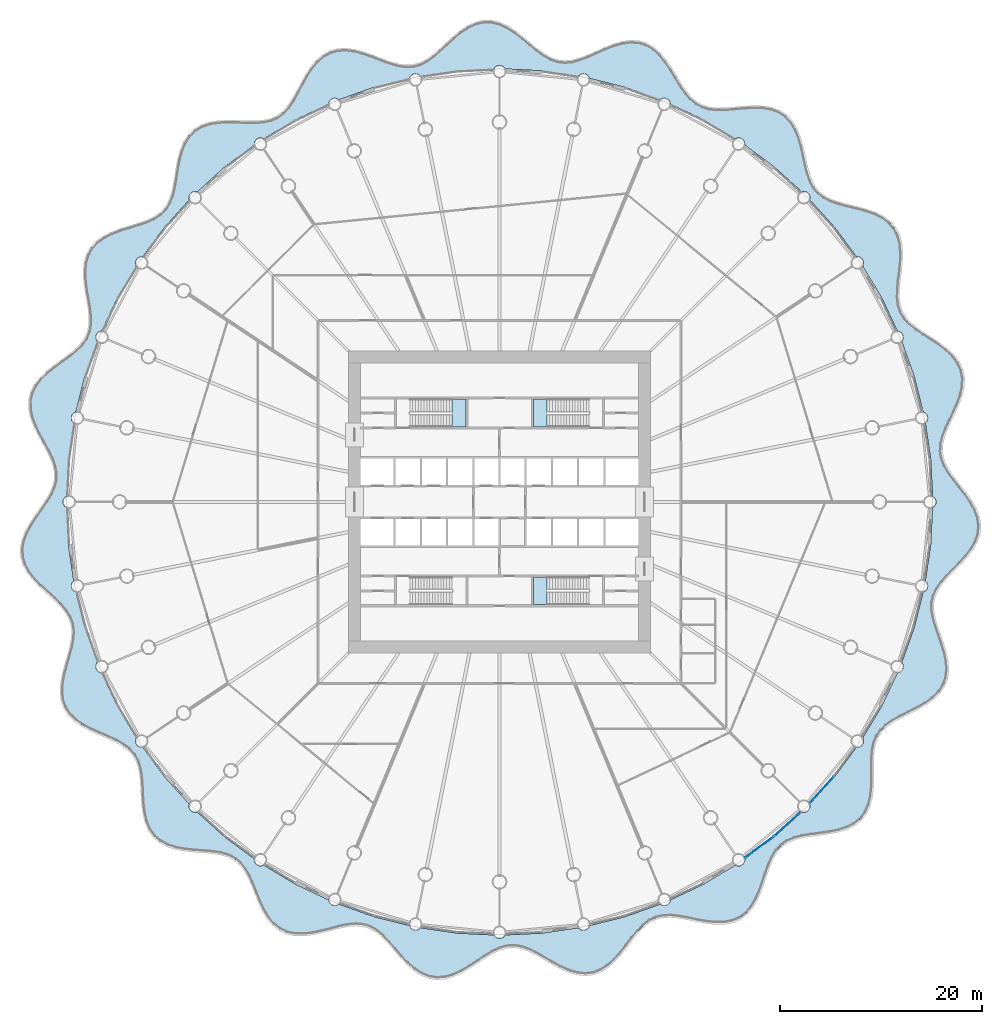
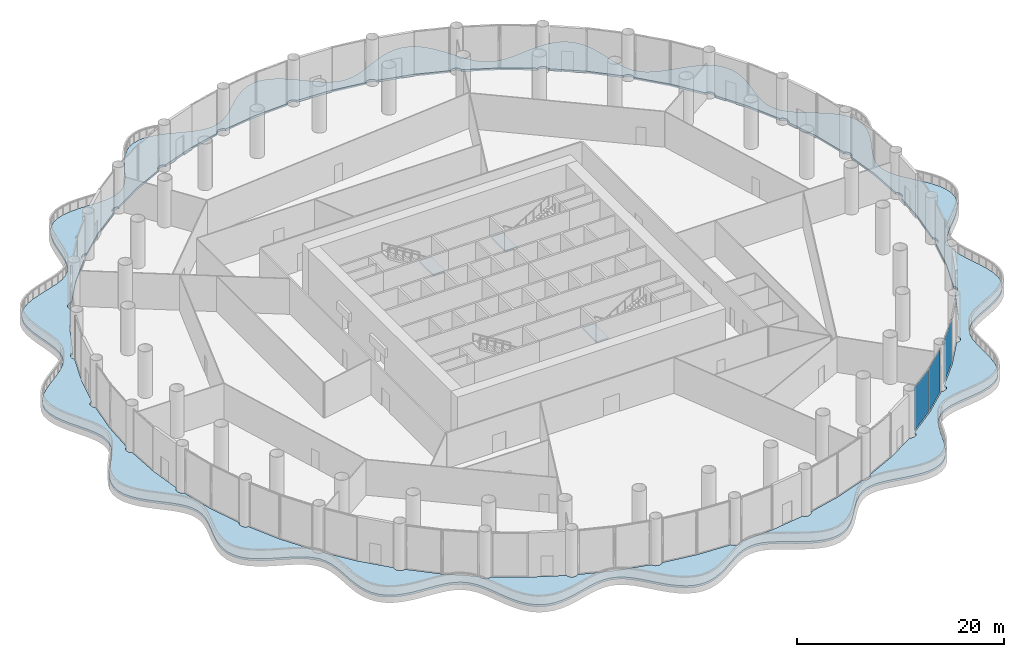
# One storey, part 21 of 37: 4 slabs, 3 plates, 6 elements without a shape of their own.
"""IFC4 building model written with IfcOpenShell, lengths in metres."""

from ifc_helpers import new_model, si_unit, direction, frame, origin, origin_2d, place, context, subcontext, project, spatial, polyline, rectangle, outline, extrude, material, layer, layer_set, type_object, element, aggregate, save


model = new_model("IFC4")

# Units and contexts
model_context = context("Model", 3, precision=1e-05, world=origin(), true_north=direction((0.0, 1.0)))
body_context = subcontext(model_context, "Body", "Model", "MODEL_VIEW")
ifc_project = project(units=[si_unit("LENGTHUNIT", "METRE"), si_unit("AREAUNIT", "SQUARE_METRE"), si_unit("VOLUMEUNIT", "CUBIC_METRE"), si_unit("PLANEANGLEUNIT", "RADIAN"), si_unit("MASSUNIT", "GRAM", prefix="KILO")], contexts=[model_context])

# Site, building, storey
site_placement = place(None, origin())
site = spatial("IfcSite", under=ifc_project, at=site_placement, CompositionType="ELEMENT")
building_placement = place(site_placement, origin())
building = spatial("IfcBuilding", under=site, at=building_placement, Name="Corvane Civic Tower", CompositionType="ELEMENT")
storey_placement = place(building_placement, frame((0.0, 0.0, 11.5)))
storey = spatial("IfcBuildingStorey", under=building, at=storey_placement, Name="L02", CompositionType="ELEMENT", Elevation=11.5)

# Curtain wall, plate
ifc_material_1 = material(Name="Aluminium and glass", Category="aluminium")
curtain_wall_type = type_object("IfcCurtainWallType", Name="PODIUM-CW-P-RUN", PredefinedType="NOTDEFINED", material=ifc_material_1)
curtain_wall_1_placement = place(storey_placement, origin())
curtain_wall_1 = element("IfcCurtainWall", 1, at=curtain_wall_1_placement, inside=storey, type_object=curtain_wall_type, Name="PODI run L02-drum-12B", PredefinedType="NOTDEFINED")
ifc_material_2 = material(Name="Glass tinted low-e laminated", Category="glass")
ifc_layer_1 = layer(ifc_material_2, 0.031982421875)
ifc_layer_set_1 = layer_set([ifc_layer_1], Name="Glass tinted low-e laminated")
plate_type = type_object("IfcPlateType", Name="PODIUM-CWP-PANEL-IGU32", PredefinedType="CURTAIN_PANEL", material=ifc_layer_set_1)
plate_1_placement = place(storey_placement, frame((31.957275390625, -28.5595703125, 0.06005859375), z_axis=(0.0, 0.0, 1.0), x_axis=(-0.671576457952, -0.740935261089, 0.0)))
plate_1 = element("IfcPlate", 2, at=plate_1_placement, type_object=plate_type, Name="CW-P panel 1.1", PredefinedType="CURTAIN_PANEL", context=body_context, shape_type="SweptSolid", body=[
    extrude(rectangle(XDim=3.4599609375, YDim=0.031982421875, at=origin_2d()), origin(), (0.0, 0.0, 1.0), 5.080078125),
])
aggregate(curtain_wall_1, [plate_1])

curtain_wall_2_placement = place(storey_placement, origin())
curtain_wall_2 = element("IfcCurtainWall", 3, at=curtain_wall_2_placement, inside=storey, type_object=curtain_wall_type, Name="PODI run L02-drum-13A", PredefinedType="NOTDEFINED")
plate_2_placement = place(storey_placement, frame((28.5595703125, -31.957275390625, 0.06005859375), z_axis=(0.0, 0.0, 1.0), x_axis=(-0.740935261089, -0.671576457952, 0.0)))
plate_2 = element("IfcPlate", 4, at=plate_2_placement, type_object=plate_type, Name="CW-P panel 1.1", PredefinedType="CURTAIN_PANEL", context=body_context, shape_type="SweptSolid", body=[
    extrude(rectangle(XDim=3.4599609375, YDim=0.031982421875, at=origin_2d()), origin(), (0.0, 0.0, 1.0), 5.080078125),
])
aggregate(curtain_wall_2, [plate_2])

curtain_wall_3_placement = place(storey_placement, origin())
curtain_wall_3 = element("IfcCurtainWall", 5, at=curtain_wall_3_placement, inside=storey, type_object=curtain_wall_type, Name="PODI run L02-drum-13B", PredefinedType="NOTDEFINED")
plate_3_placement = place(storey_placement, frame((25.771484375, -34.245361328125, 0.06005859375), z_axis=(0.0, 0.0, 1.0), x_axis=(-0.803203229747, -0.595705104665, 0.0)))
plate_3 = element("IfcPlate", 6, at=plate_3_placement, type_object=plate_type, Name="CW-P panel 1.1", PredefinedType="CURTAIN_PANEL", context=body_context, shape_type="SweptSolid", body=[
    extrude(rectangle(XDim=3.459716796875, YDim=0.031982421875, at=origin_2d()), origin(), (0.0, 0.0, 1.0), 5.080078125),
])
aggregate(curtain_wall_3, [plate_3])

# Slab
ifc_material_3 = material(Name="Concrete C40/50", Category="concrete")
ifc_layer_2 = layer(ifc_material_3, 0.25)
ifc_layer_set_2 = layer_set([ifc_layer_2], Name="Concrete C40/50")
slab_type_1 = type_object("IfcSlabType", Name="PODIUM-SL-RIBBON-250", PredefinedType="FLOOR", material=ifc_layer_set_2)
slab_1_placement = place(storey_placement, frame((0.0, 0.0, -0.25)))
element("IfcSlab", 7, at=slab_1_placement, inside=storey, type_object=slab_type_1, Name="L02 ribbon balcony slab", PredefinedType="FLOOR", context=body_context, shape_type="SweptSolid", body=[
    extrude(outline(polyline([(0.770751953125, 47.1025390625), (0.0, 47.458740234375), (-0.77978515625, 47.653076171875), (-1.560302734375, 47.665771484375), (-2.333251953125, 47.494140625), (-3.090576171875, 47.152099609375), (-3.82666015625, 46.668701171875), (-4.5390625, 46.085693359375), (-5.22900390625, 45.453125), (-5.901123046875, 44.824462890625), (-6.56396484375, 44.251220703125), (-7.22802734375, 43.77880859375), (-7.904296875, 43.440673828125), (-8.604248046875, 43.25634765625), (-9.336669921875, 43.229248046875), (-10.10693359375, 43.345947265625), (-10.915771484375, 43.578369140625), (-11.75927734375, 43.885986328125), (-12.6279296875, 44.220703125), (-13.508056640625, 44.5302734375), (-14.38330078125, 44.76513671875), (-15.235107421875, 44.88134765625), (-16.04638671875, 44.846435546875), (-16.802001953125, 44.641845703125), (-17.491943359375, 44.263916015625), (-18.111572265625, 43.725341796875), (-18.6640625, 43.052978515625), (-19.158935546875, 42.28466796875), (-19.6123046875, 41.466552734375), (-20.045166015625, 40.6474609375), (-20.48193359375, 39.875), (-20.947509765625, 39.18994140625), (-21.464111328125, 38.622802734375), (-22.050048828125, 38.191650390625), (-22.71630859375, 37.89990234375), (-23.465576171875, 37.73583984375), (-24.291748046875, 37.67529296875), (-25.17919921875, 37.683349609375), (-26.10498046875, 37.7177734375), (-27.0400390625, 37.734375), (-27.952880859375, 37.68994140625), (-28.8115234375, 37.5478515625), (-29.587890625, 37.2802734375), (-30.260009765625, 36.871826171875), (-30.81494140625, 36.31982421875), (-31.250732421875, 35.634765625), (-31.575927734375, 34.8388671875), (-31.810302734375, 33.963623046875), (-31.982177734375, 33.04638671875), (-32.126708984375, 32.126708984375), (-32.281982421875, 31.242431640625), (-32.485107421875, 30.42578125), (-32.769287109375, 29.700439453125), (-33.158935546875, 29.07958984375), (-33.668701171875, 28.565673828125), (-34.299560546875, 28.14892578125), (-35.040771484375, 27.810302734375), (-35.868408203125, 27.522705078125), (-36.7490234375, 27.2548828125), (-37.641845703125, 26.973876953125), (-38.5029296875, 26.6484375), (-39.289794921875, 26.25244140625), (-39.964599609375, 25.767822265625), (-40.49951171875, 25.184326171875), (-40.87890625, 24.501953125), (-41.1005859375, 23.7294921875), (-41.17724609375, 22.8837890625), (-41.13525390625, 21.9873046875), (-41.01171875, 21.06591796875), (-40.8515625, 20.145751953125), (-40.70263671875, 19.2509765625), (-40.612060546875, 18.401123046875), (-40.6201171875, 17.609375), (-40.75732421875, 16.88232421875), (-41.040771484375, 16.218017578125), (-41.472412109375, 15.609130859375), (-42.038330078125, 15.04150390625), (-42.710205078125, 14.498046875), (-43.4482421875, 13.960205078125), (-44.2041015625, 13.4091796875), (-44.926513671875, 12.829345703125), (-45.5654296875, 12.209228515625), (-46.07763671875, 11.541748046875), (-46.430419921875, 10.826171875), (-46.60595703125, 10.06591796875), (-46.601318359375, 9.26953125), (-46.43115234375, 8.448486328125), (-46.1240234375, 7.615234375), (-45.721923828125, 6.7822265625), (-45.2744140625, 5.96044921875), (-44.834716796875, 5.15771484375), (-44.454345703125, 4.37841796875), (-44.178466796875, 3.622314453125), (-44.0400390625, 2.886474609375), (-44.05859375, 2.16455078125), (-44.23681640625, 1.4482421875), (-44.560302734375, 0.729248046875), (-45.0, 0.0), (-45.513916015625, -0.744873046875), (-46.0517578125, -1.507568359375), (-46.559814453125, -2.287353515625), (-46.986083984375, -3.07958984375), (-47.28515625, -3.877197265625), (-47.423583984375, -4.6708984375), (-47.381591796875, -5.45068359375), (-47.156005859375, -6.208251953125), (-46.760986328125, -6.936279296875), (-46.224853515625, -7.6318359375), (-45.5888671875, -8.295166015625), (-44.902587890625, -8.931640625), (-44.218994140625, -9.55029296875), (-43.5888671875, -10.16357421875), (-43.056884765625, -10.78515625), (-42.656494140625, -11.4296875), (-42.406982421875, -12.10986328125), (-42.3115234375, -12.8349609375), (-42.357421875, -13.609619140625), (-42.51708984375, -14.4326171875), (-42.75146484375, -15.296630859375), (-43.01318359375, -16.18896484375), (-43.251708984375, -17.091796875), (-43.41845703125, -17.984619140625), (-43.470947265625, -18.845458984375), (-43.377685546875, -19.654052734375), (-43.1201171875, -20.394287109375), (-42.695068359375, -21.054931640625), (-42.11474609375, -21.632568359375), (-41.40478515625, -22.13134765625), (-40.60205078125, -22.56396484375), (-39.75048828125, -22.949951171875), (-38.8974609375, -23.314208984375), (-38.088134765625, -23.6845703125), (-37.361572265625, -24.08935546875), (-36.747314453125, -24.5537109375), (-36.26220703125, -25.097412109375), (-35.909423828125, -25.732421875), (-35.678466796875, -26.4609375), (-35.545654296875, -27.275146484375), (-35.477783203125, -28.1572265625), (-35.435546875, -29.081298828125), (-35.376953125, -30.01513671875), (-35.26123046875, -30.92333984375), (-35.054443359375, -31.771484375), (-34.730224609375, -32.528564453125), (-34.27490234375, -33.171142578125), (-33.685546875, -33.685546875), (-32.972900390625, -34.070068359375), (-32.157470703125, -34.334228515625), (-31.268798828125, -34.499755859375), (-30.341552734375, -34.597900390625), (-29.412353515625, -34.66650390625), (-28.515625, -34.746337890625), (-27.680908203125, -34.877685546875), (-26.9296875, -35.095703125), (-26.27392578125, -35.42626953125), (-25.714599609375, -35.884765625), (-25.2431640625, -36.47265625), (-24.84130859375, -37.177734375), (-24.48486328125, -37.974853515625), (-24.145263671875, -38.82861328125), (-23.792724609375, -39.69580078125), (-23.39990234375, -40.530029296875), (-22.9443359375, -41.28662109375), (-22.409912109375, -41.926025390625), (-21.788818359375, -42.41943359375), (-21.081787109375, -42.749755859375), (-20.29736328125, -42.91552734375), (-19.451171875, -42.929443359375), (-18.562744140625, -42.819091796875), (-17.655029296875, -42.623046875), (-16.75048828125, -42.38818359375), (-15.869384765625, -42.1640625), (-15.027587890625, -41.9990234375), (-14.235107421875, -41.935302734375), (-13.496337890625, -42.00439453125), (-12.80859375, -42.22412109375), (-12.1640625, -42.59619140625), (-11.55029296875, -43.106689453125), (-10.952880859375, -43.7265625), (-10.356201171875, -44.415283203125), (-9.745849609375, -45.123779296875), (-9.10986328125, -45.798828125), (-8.44091796875, -46.39013671875), (-7.735595703125, -46.853271484375), (-6.994873046875, -47.155029296875), (-6.22412109375, -47.276611328125), (-5.431640625, -47.2158203125), (-4.627685546875, -46.986328125), (-3.822509765625, -46.617919921875), (-3.02490234375, -46.152099609375), (-2.2421875, -45.63916015625), (-1.4775390625, -45.133056640625), (-0.731201171875, -44.685302734375), (0.0, -44.341064453125), (0.72216796875, -44.134765625), (1.443115234375, -44.0849609375), (2.171142578125, -44.1953125), (2.91357421875, -44.451416015625), (3.67529296875, -44.82421875), (4.458984375, -45.272216796875), (5.2626953125, -45.745361328125), (6.0810546875, -46.190185546875), (6.90576171875, -46.55517578125), (7.725830078125, -46.795166015625), (8.529541015625, -46.87646484375), (9.30517578125, -46.77978515625), (10.04345703125, -46.501708984375), (10.73876953125, -46.055908203125), (11.389892578125, -45.470703125), (12.00048828125, -44.785888671875), (12.579345703125, -44.05078125), (13.139892578125, -43.31689453125), (13.69873046875, -42.63427734375), (14.27294921875, -42.046875), (14.880126953125, -41.587158203125), (15.53466796875, -41.2744140625), (16.24609375, -41.111572265625), (17.018798828125, -41.086669921875), (17.84912109375, -41.173095703125), (18.7275390625, -41.332763671875), (19.637451171875, -41.519775390625), (20.556884765625, -41.685302734375), (21.4619140625, -41.782470703125), (22.326904296875, -41.7705078125), (23.12890625, -41.61865234375), (23.85009765625, -41.309326171875), (24.478271484375, -40.839599609375), (25.010986328125, -40.220947265625), (25.453857421875, -39.477783203125), (25.822021484375, -38.6455078125), (26.138427734375, -37.766357421875), (26.431396484375, -36.885009765625), (26.732421875, -36.04443359375), (27.07275390625, -35.281982421875), (27.480712890625, -34.625244140625), (27.977294921875, -34.090576171875), (28.575439453125, -33.68017578125), (29.277099609375, -33.38427734375), (30.072998046875, -33.180419921875), (30.943359375, -33.0380859375), (31.859375, -32.91943359375), (32.78564453125, -32.78564453125), (33.683837890625, -32.59912109375), (34.516357421875, -32.328125), (35.25, -31.94873046875), (35.85986328125, -31.4482421875), (36.331298828125, -30.824951171875), (36.662841796875, -30.08837890625), (36.864990234375, -29.258056640625), (36.96142578125, -28.361572265625), (36.9853515625, -27.43017578125), (36.9775390625, -26.49755859375), (36.981201171875, -25.594970703125), (37.039306640625, -24.748779296875), (37.1884765625, -23.977783203125), (37.457275390625, -23.29248046875), (37.860595703125, -22.69287109375), (38.400634765625, -22.170654296875), (39.064208984375, -21.709228515625), (39.824951171875, -21.286865234375), (40.645751953125, -20.8779296875), (41.4814453125, -20.456298828125), (42.283447265625, -19.99853515625), (43.00537109375, -19.4853515625), (43.60595703125, -18.90380859375), (44.054931640625, -18.248046875), (44.334716796875, -17.519775390625), (44.44384765625, -16.7275390625), (44.3955078125, -15.885009765625), (44.218017578125, -15.010009765625), (43.951171875, -14.121826171875), (43.64306640625, -13.239013671875), (43.344970703125, -12.377685546875), (43.106689453125, -11.55029296875), (42.97119140625, -10.763671875), (42.971435546875, -10.01953125), (43.125, -9.314208984375), (43.434814453125, -8.6396484375), (43.885986328125, -7.9853515625), (44.44970703125, -7.338623046875), (45.08447265625, -6.687744140625), (45.740234375, -6.021728515625), (46.36376953125, -5.333740234375), (46.903564453125, -4.61962890625), (47.314697265625, -3.879638671875), (47.5634765625, -3.117431640625), (47.630859375, -2.33984375), (47.51416015625, -1.555419921875), (47.227294921875, -0.772705078125), (46.800048828125, 0.0), (46.27392578125, 0.75732421875), (45.698974609375, 1.49609375), (45.129638671875, 2.217041015625), (44.617431640625, 2.92431640625), (44.207763671875, 3.624755859375), (43.934326171875, 4.3271484375), (43.817138671875, 5.040771484375), (43.858642578125, 5.774169921875), (44.04541015625, 6.533447265625), (44.34912109375, 7.322021484375), (44.728271484375, 8.138671875), (45.133544921875, 8.9775390625), (45.51220703125, 9.82958984375), (45.81298828125, 10.68212890625), (45.991943359375, 11.520263671875), (46.015380859375, 12.329833984375), (45.864501953125, 13.09716796875), (45.53564453125, 13.81298828125), (45.0419921875, 14.47216796875), (44.4111328125, 15.075439453125), (43.68212890625, 15.629638671875), (42.903076171875, 16.1474609375), (42.123779296875, 16.646240234375), (41.393798828125, 17.145751953125), (40.755126953125, 17.66796875), (40.23974609375, 18.232421875), (39.8662109375, 18.855224609375), (39.6376953125, 19.547119140625), (39.542724609375, 20.311279296875), (39.555419921875, 21.142822265625), (39.639404296875, 22.029052734375), (39.75048828125, 22.949951171875), (39.842041015625, 23.88037109375), (39.86865234375, 24.7919921875), (39.791748046875, 25.65625), (39.581787109375, 26.447509765625), (39.221923828125, 27.14599609375), (38.709716796875, 27.739013671875), (38.05615234375, 28.224365234375), (37.2841796875, 28.609130859375), (36.427734375, 28.9111328125), (35.526611328125, 29.156005859375), (34.623046875, 29.37548828125), (33.757568359375, 29.6044921875), (32.965087890625, 29.877685546875), (32.271240234375, 30.225341796875), (31.69091796875, 30.67041015625), (31.226806640625, 31.226806640625), (30.86865234375, 31.895751953125), (30.59619140625, 32.667236328125), (30.38037109375, 33.51953125), (30.186279296875, 34.4208984375), (29.978271484375, 35.33349609375), (29.7216796875, 36.216064453125), (29.387451171875, 37.028076171875), (28.95458984375, 37.734130859375), (28.411376953125, 38.30810546875), (27.7568359375, 38.734619140625), (27.000244140625, 39.01171875), (26.16015625, 39.1513671875), (25.2607421875, 39.17822265625), (24.33154296875, 39.128173828125), (23.40185546875, 39.043701171875), (22.5, 38.97119140625), (21.648681640625, 38.955078125), (20.8642578125, 39.0341796875), (20.15478515625, 39.238037109375), (19.520263671875, 39.5830078125), (18.9521484375, 40.07080078125), (18.435546875, 40.687744140625), (17.950439453125, 41.406982421875), (17.475341796875, 42.18896484375), (16.9873046875, 42.987548828125), (16.46728515625, 43.752197265625), (15.89892578125, 44.434814453125), (15.27294921875, 44.99267578125), (14.585693359375, 45.394775390625), (13.839599609375, 45.623046875), (13.043212890625, 45.67529296875), (12.209228515625, 45.5654296875), (11.3525390625, 45.322265625), (10.489501953125, 44.986572265625), (9.63427734375, 44.607421875), (8.79931640625, 44.2373046875), (7.99267578125, 43.927001953125), (7.21826171875, 43.720703125), (6.47509765625, 43.6513671875), (5.75830078125, 43.738037109375), (5.059814453125, 43.982666015625), (4.3701171875, 44.37158203125), (3.679443359375, 44.875), (2.97900390625, 45.451416015625), (2.26220703125, 46.05029296875), (1.526123046875, 46.617919921875), (0.770751953125, 47.1025390625)]), holes=[polyline([(0.31005859375, -43.23681640625), (0.160400390625, -43.298828125), (0.0, -43.320068359375), (-0.160400390625, -43.298828125), (-0.31005859375, -43.23681640625), (-0.4384765625, -43.138427734375), (-0.536865234375, -43.010009765625), (-0.55224609375, -42.972900390625), (-4.21484375, -42.79296875), (-7.84326171875, -42.2548828125), (-7.891845703125, -42.318115234375), (-8.020263671875, -42.41650390625), (-8.169921875, -42.478515625), (-8.330322265625, -42.49951171875), (-8.49072265625, -42.478515625), (-8.640380859375, -42.41650390625), (-8.768798828125, -42.318115234375), (-8.8671875, -42.189697265625), (-8.92919921875, -42.0400390625), (-8.929443359375, -42.038330078125), (-12.482177734375, -41.1484375), (-15.934814453125, -39.9130859375), (-16.030517578125, -39.986572265625), (-16.18017578125, -40.048583984375), (-16.340576171875, -40.069580078125), (-16.5009765625, -40.048583984375), (-16.650634765625, -39.986572265625), (-16.779052734375, -39.88818359375), (-16.87744140625, -39.759765625), (-16.939453125, -39.610107421875), (-16.955078125, -39.490478515625), (-20.27001953125, -37.922607421875), (-23.41162109375, -36.03955078125), (-23.412841796875, -36.04052734375), (-23.5625, -36.1025390625), (-23.722900390625, -36.123779296875), (-23.88330078125, -36.1025390625), (-24.032958984375, -36.04052734375), (-24.161376953125, -35.942138671875), (-24.259765625, -35.813720703125), (-24.32177734375, -35.6640625), (-24.343017578125, -35.503662109375), (-24.33251953125, -35.424560546875), (-27.27880859375, -33.239501953125), (-29.995849609375, -30.77685546875), (-30.032958984375, -30.792236328125), (-30.193359375, -30.8134765625), (-30.353759765625, -30.792236328125), (-30.50341796875, -30.730224609375), (-30.6318359375, -30.6318359375), (-30.730224609375, -30.50341796875), (-30.792236328125, -30.353759765625), (-30.8134765625, -30.193359375), (-30.792236328125, -30.032958984375), (-30.77685546875, -29.995849609375), (-33.239501953125, -27.27880859375), (-35.424560546875, -24.33251953125), (-35.503662109375, -24.343017578125), (-35.6640625, -24.32177734375), (-35.813720703125, -24.259765625), (-35.942138671875, -24.161376953125), (-36.04052734375, -24.032958984375), (-36.1025390625, -23.88330078125), (-36.123779296875, -23.722900390625), (-36.1025390625, -23.5625), (-36.04052734375, -23.412841796875), (-36.03955078125, -23.41162109375), (-37.922607421875, -20.27001953125), (-39.490478515625, -16.955078125), (-39.610107421875, -16.939453125), (-39.759765625, -16.87744140625), (-39.88818359375, -16.779052734375), (-39.986572265625, -16.650634765625), (-40.048583984375, -16.5009765625), (-40.069580078125, -16.340576171875), (-40.048583984375, -16.18017578125), (-39.986572265625, -16.030517578125), (-39.9130859375, -15.934814453125), (-41.1484375, -12.482177734375), (-42.038330078125, -8.929443359375), (-42.0400390625, -8.92919921875), (-42.189697265625, -8.8671875), (-42.318115234375, -8.768798828125), (-42.41650390625, -8.640380859375), (-42.478515625, -8.49072265625), (-42.49951171875, -8.330322265625), (-42.478515625, -8.169921875), (-42.41650390625, -8.020263671875), (-42.318115234375, -7.891845703125), (-42.2548828125, -7.84326171875), (-42.79296875, -4.21484375), (-42.972900390625, -0.55224609375), (-43.010009765625, -0.536865234375), (-43.138427734375, -0.4384765625), (-43.23681640625, -0.31005859375), (-43.298828125, -0.160400390625), (-43.320068359375, 0.0), (-43.298828125, 0.160400390625), (-43.23681640625, 0.31005859375), (-43.138427734375, 0.4384765625), (-43.010009765625, 0.536865234375), (-42.972900390625, 0.55224609375), (-42.79296875, 4.21484375), (-42.2548828125, 7.84326171875), (-42.318115234375, 7.891845703125), (-42.41650390625, 8.020263671875), (-42.478515625, 8.169921875), (-42.49951171875, 8.330322265625), (-42.478515625, 8.49072265625), (-42.41650390625, 8.640380859375), (-42.318115234375, 8.768798828125), (-42.189697265625, 8.8671875), (-42.0400390625, 8.92919921875), (-42.038330078125, 8.929443359375), (-41.1484375, 12.482177734375), (-39.9130859375, 15.934814453125), (-39.986572265625, 16.030517578125), (-40.048583984375, 16.18017578125), (-40.069580078125, 16.340576171875), (-40.048583984375, 16.5009765625), (-39.986572265625, 16.650634765625), (-39.88818359375, 16.779052734375), (-39.759765625, 16.87744140625), (-39.610107421875, 16.939453125), (-39.490478515625, 16.955078125), (-37.922607421875, 20.27001953125), (-36.03955078125, 23.41162109375), (-36.04052734375, 23.412841796875), (-36.1025390625, 23.5625), (-36.123779296875, 23.722900390625), (-36.1025390625, 23.88330078125), (-36.04052734375, 24.032958984375), (-35.942138671875, 24.161376953125), (-35.813720703125, 24.259765625), (-35.6640625, 24.32177734375), (-35.503662109375, 24.343017578125), (-35.424560546875, 24.33251953125), (-33.239501953125, 27.27880859375), (-30.77685546875, 29.995849609375), (-30.792236328125, 30.032958984375), (-30.8134765625, 30.193359375), (-30.792236328125, 30.353759765625), (-30.730224609375, 30.50341796875), (-30.6318359375, 30.6318359375), (-30.50341796875, 30.730224609375), (-30.353759765625, 30.792236328125), (-30.193359375, 30.8134765625), (-30.032958984375, 30.792236328125), (-29.995849609375, 30.77685546875), (-27.27880859375, 33.239501953125), (-24.33251953125, 35.424560546875), (-24.343017578125, 35.503662109375), (-24.32177734375, 35.6640625), (-24.259765625, 35.813720703125), (-24.161376953125, 35.942138671875), (-24.032958984375, 36.04052734375), (-23.88330078125, 36.1025390625), (-23.722900390625, 36.123779296875), (-23.5625, 36.1025390625), (-23.412841796875, 36.04052734375), (-23.41162109375, 36.03955078125), (-20.27001953125, 37.922607421875), (-16.955078125, 39.490478515625), (-16.939453125, 39.610107421875), (-16.87744140625, 39.759765625), (-16.779052734375, 39.88818359375), (-16.650634765625, 39.986572265625), (-16.5009765625, 40.048583984375), (-16.340576171875, 40.069580078125), (-16.18017578125, 40.048583984375), (-16.030517578125, 39.986572265625), (-15.934814453125, 39.9130859375), (-12.482177734375, 41.1484375), (-8.929443359375, 42.038330078125), (-8.92919921875, 42.0400390625), (-8.8671875, 42.189697265625), (-8.768798828125, 42.318115234375), (-8.640380859375, 42.41650390625), (-8.49072265625, 42.478515625), (-8.330322265625, 42.49951171875), (-8.169921875, 42.478515625), (-8.020263671875, 42.41650390625), (-7.891845703125, 42.318115234375), (-7.84326171875, 42.2548828125), (-4.21484375, 42.79296875), (-0.55224609375, 42.972900390625), (-0.536865234375, 43.010009765625), (-0.4384765625, 43.138427734375), (-0.31005859375, 43.23681640625), (-0.160400390625, 43.298828125), (0.0, 43.320068359375), (0.160400390625, 43.298828125), (0.31005859375, 43.23681640625), (0.4384765625, 43.138427734375), (0.536865234375, 43.010009765625), (0.55224609375, 42.972900390625), (4.21484375, 42.79296875), (7.84326171875, 42.2548828125), (7.891845703125, 42.318115234375), (8.020263671875, 42.41650390625), (8.169921875, 42.478515625), (8.330322265625, 42.49951171875), (8.49072265625, 42.478515625), (8.640380859375, 42.41650390625), (8.768798828125, 42.318115234375), (8.8671875, 42.189697265625), (8.92919921875, 42.0400390625), (8.929443359375, 42.038330078125), (12.482177734375, 41.1484375), (15.934814453125, 39.9130859375), (16.030517578125, 39.986572265625), (16.18017578125, 40.048583984375), (16.340576171875, 40.069580078125), (16.5009765625, 40.048583984375), (16.650634765625, 39.986572265625), (16.779052734375, 39.88818359375), (16.87744140625, 39.759765625), (16.939453125, 39.610107421875), (16.955078125, 39.490478515625), (20.27001953125, 37.922607421875), (23.41162109375, 36.03955078125), (23.412841796875, 36.04052734375), (23.5625, 36.1025390625), (23.722900390625, 36.123779296875), (23.88330078125, 36.1025390625), (24.032958984375, 36.04052734375), (24.161376953125, 35.942138671875), (24.259765625, 35.813720703125), (24.32177734375, 35.6640625), (24.343017578125, 35.503662109375), (24.33251953125, 35.424560546875), (27.27880859375, 33.239501953125), (29.995849609375, 30.77685546875), (30.032958984375, 30.792236328125), (30.193359375, 30.8134765625), (30.353759765625, 30.792236328125), (30.50341796875, 30.730224609375), (30.6318359375, 30.6318359375), (30.730224609375, 30.50341796875), (30.792236328125, 30.353759765625), (30.8134765625, 30.193359375), (30.792236328125, 30.032958984375), (30.77685546875, 29.995849609375), (33.239501953125, 27.27880859375), (35.424560546875, 24.33251953125), (35.503662109375, 24.343017578125), (35.6640625, 24.32177734375), (35.813720703125, 24.259765625), (35.942138671875, 24.161376953125), (36.04052734375, 24.032958984375), (36.1025390625, 23.88330078125), (36.123779296875, 23.722900390625), (36.1025390625, 23.5625), (36.04052734375, 23.412841796875), (36.03955078125, 23.41162109375), (37.922607421875, 20.27001953125), (39.490478515625, 16.955078125), (39.610107421875, 16.939453125), (39.759765625, 16.87744140625), (39.88818359375, 16.779052734375), (39.986572265625, 16.650634765625), (40.048583984375, 16.5009765625), (40.069580078125, 16.340576171875), (40.048583984375, 16.18017578125), (39.986572265625, 16.030517578125), (39.9130859375, 15.934814453125), (41.1484375, 12.482177734375), (42.038330078125, 8.929443359375), (42.0400390625, 8.92919921875), (42.189697265625, 8.8671875), (42.318115234375, 8.768798828125), (42.41650390625, 8.640380859375), (42.478515625, 8.49072265625), (42.49951171875, 8.330322265625), (42.478515625, 8.169921875), (42.41650390625, 8.020263671875), (42.318115234375, 7.891845703125), (42.2548828125, 7.84326171875), (42.79296875, 4.21484375), (42.972900390625, 0.55224609375), (43.010009765625, 0.536865234375), (43.138427734375, 0.4384765625), (43.23681640625, 0.31005859375), (43.298828125, 0.160400390625), (43.320068359375, 0.0), (43.298828125, -0.160400390625), (43.23681640625, -0.31005859375), (43.138427734375, -0.4384765625), (43.010009765625, -0.536865234375), (42.972900390625, -0.55224609375), (42.79296875, -4.21484375), (42.2548828125, -7.84326171875), (42.318115234375, -7.891845703125), (42.41650390625, -8.020263671875), (42.478515625, -8.169921875), (42.49951171875, -8.330322265625), (42.478515625, -8.49072265625), (42.41650390625, -8.640380859375), (42.318115234375, -8.768798828125), (42.189697265625, -8.8671875), (42.0400390625, -8.92919921875), (42.038330078125, -8.929443359375), (41.1484375, -12.482177734375), (39.9130859375, -15.934814453125), (39.986572265625, -16.030517578125), (40.048583984375, -16.18017578125), (40.069580078125, -16.340576171875), (40.048583984375, -16.5009765625), (39.986572265625, -16.650634765625), (39.88818359375, -16.779052734375), (39.759765625, -16.87744140625), (39.610107421875, -16.939453125), (39.490478515625, -16.955078125), (37.922607421875, -20.27001953125), (36.03955078125, -23.41162109375), (36.04052734375, -23.412841796875), (36.1025390625, -23.5625), (36.123779296875, -23.722900390625), (36.1025390625, -23.88330078125), (36.04052734375, -24.032958984375), (35.942138671875, -24.161376953125), (35.813720703125, -24.259765625), (35.6640625, -24.32177734375), (35.503662109375, -24.343017578125), (35.424560546875, -24.33251953125), (33.239501953125, -27.27880859375), (30.77685546875, -29.995849609375), (30.792236328125, -30.032958984375), (30.8134765625, -30.193359375), (30.792236328125, -30.353759765625), (30.730224609375, -30.50341796875), (30.6318359375, -30.6318359375), (30.50341796875, -30.730224609375), (30.353759765625, -30.792236328125), (30.193359375, -30.8134765625), (30.032958984375, -30.792236328125), (29.995849609375, -30.77685546875), (27.27880859375, -33.239501953125), (24.33251953125, -35.424560546875), (24.343017578125, -35.503662109375), (24.32177734375, -35.6640625), (24.259765625, -35.813720703125), (24.161376953125, -35.942138671875), (24.032958984375, -36.04052734375), (23.88330078125, -36.1025390625), (23.722900390625, -36.123779296875), (23.5625, -36.1025390625), (23.412841796875, -36.04052734375), (23.41162109375, -36.03955078125), (20.27001953125, -37.922607421875), (16.955078125, -39.490478515625), (16.939453125, -39.610107421875), (16.87744140625, -39.759765625), (16.779052734375, -39.88818359375), (16.650634765625, -39.986572265625), (16.5009765625, -40.048583984375), (16.340576171875, -40.069580078125), (16.18017578125, -40.048583984375), (16.030517578125, -39.986572265625), (15.934814453125, -39.9130859375), (12.482177734375, -41.1484375), (8.929443359375, -42.038330078125), (8.92919921875, -42.0400390625), (8.8671875, -42.189697265625), (8.768798828125, -42.318115234375), (8.640380859375, -42.41650390625), (8.49072265625, -42.478515625), (8.330322265625, -42.49951171875), (8.169921875, -42.478515625), (8.020263671875, -42.41650390625), (7.891845703125, -42.318115234375), (7.84326171875, -42.2548828125), (4.21484375, -42.79296875), (0.55224609375, -42.972900390625), (0.536865234375, -43.010009765625), (0.4384765625, -43.138427734375), (0.31005859375, -43.23681640625)])]), origin(), (0.0, 0.0, 1.0), 0.25),
])

# Stair, slab
ifc_material_4 = material(Name="Concrete C40/50", Category="concrete")
stair_type = type_object("IfcStairType", Name="ST-STAIR-HALFTURN", PredefinedType="HALF_TURN_STAIR", material=ifc_material_4)
stair_1_placement = place(storey_placement, origin())
stair_1 = element("IfcStair", 8, at=stair_1_placement, inside=storey, type_object=stair_type, Name="L02 Exit stair ST1", PredefinedType="HALF_TURN_STAIR")
ifc_material_5 = material(Name="Concrete C40/50", Category="concrete")
ifc_layer_3 = layer(ifc_material_5, 0.199951171875)
ifc_layer_set_3 = layer_set([ifc_layer_3], Name="Concrete C40/50")
slab_type_2 = type_object("IfcSlabType", Name="ST-LANDING-RC", PredefinedType="LANDING", material=ifc_layer_set_3)
slab_2_placement = place(storey_placement, frame((0.0, 0.0, 2.550048828125)))
slab_2 = element("IfcSlab", 9, at=slab_2_placement, type_object=slab_type_2, Name="ST1 landing 1", PredefinedType="LANDING", context=body_context, shape_type="SweptSolid", body=[
    extrude(outline(polyline([(4.699951171875, 10.199951171875), (3.35009765625, 10.199951171875), (3.35009765625, 7.449951171875), (4.699951171875, 7.449951171875), (4.699951171875, 10.199951171875)])), origin(), (0.0, 0.0, 1.0), 0.199951171875),
])
aggregate(stair_1, [slab_2])

stair_2_placement = place(storey_placement, origin())
stair_2 = element("IfcStair", 10, at=stair_2_placement, inside=storey, type_object=stair_type, Name="L02 Exit stair ST2", PredefinedType="HALF_TURN_STAIR")
slab_3_placement = place(storey_placement, frame((0.0, 0.0, 2.550048828125)))
slab_3 = element("IfcSlab", 11, at=slab_3_placement, type_object=slab_type_2, Name="ST2 landing 1", PredefinedType="LANDING", context=body_context, shape_type="SweptSolid", body=[
    extrude(outline(polyline([(4.699951171875, -7.449951171875), (3.35009765625, -7.449951171875), (3.35009765625, -10.199951171875), (4.699951171875, -10.199951171875), (4.699951171875, -7.449951171875)])), origin(), (0.0, 0.0, 1.0), 0.199951171875),
])
aggregate(stair_2, [slab_3])

stair_3_placement = place(storey_placement, origin())
stair_3 = element("IfcStair", 12, at=stair_3_placement, inside=storey, type_object=stair_type, Name="L02 Exit stair ST4", PredefinedType="HALF_TURN_STAIR")
slab_4_placement = place(storey_placement, frame((0.0, 0.0, 2.550048828125)))
slab_4 = element("IfcSlab", 13, at=slab_4_placement, type_object=slab_type_2, Name="ST4 landing 1", PredefinedType="LANDING", context=body_context, shape_type="SweptSolid", body=[
    extrude(outline(polyline([(-4.699951171875, 7.449951171875), (-3.35009765625, 7.449951171875), (-3.35009765625, 10.199951171875), (-4.699951171875, 10.199951171875), (-4.699951171875, 7.449951171875)])), origin(), (0.0, 0.0, 1.0), 0.199951171875),
])
aggregate(stair_3, [slab_4])

save(model, "model.ifc")
